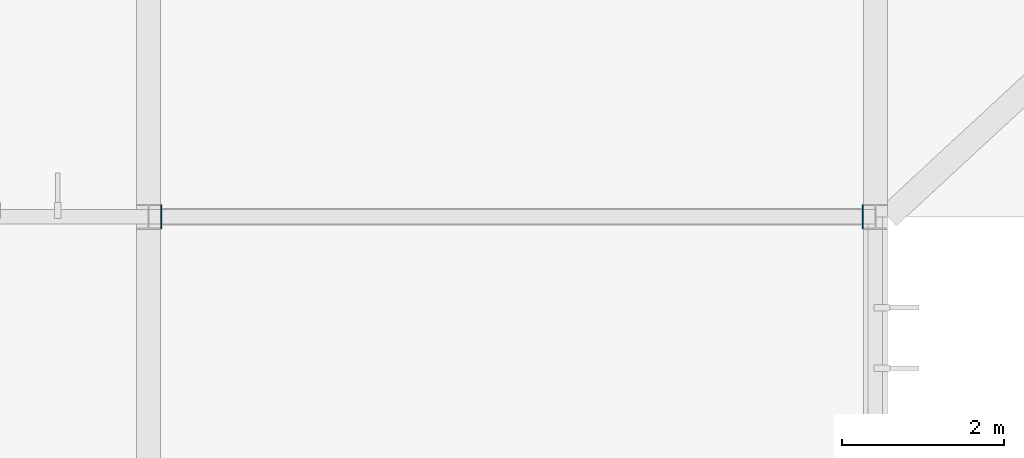
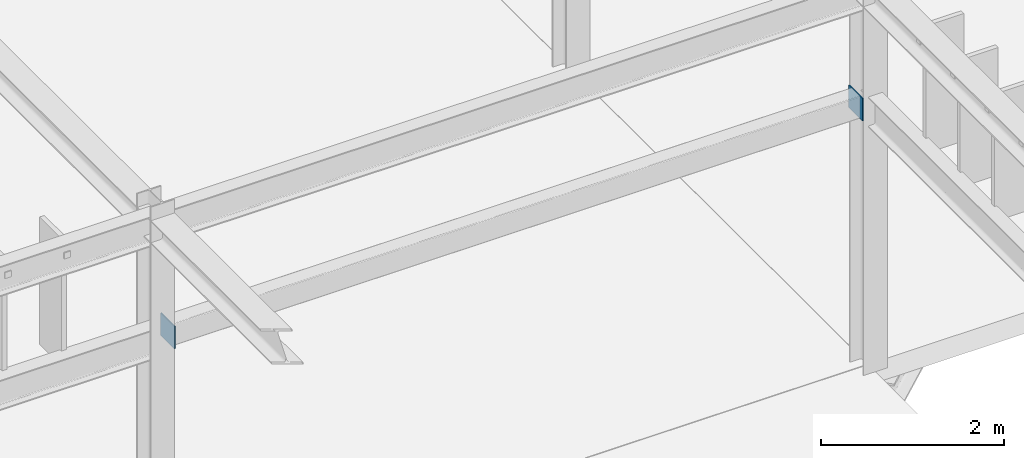
# One storey, part 117 of 158: 2 plates.
"""IFC4 building model written with IfcOpenShell, lengths in metres."""

from ifc_helpers import new_model, si_unit, derived_unit, direction, frame, origin, origin_2d, place, context, subcontext, project, spatial, rectangle, extrude, material, layer, layer_set, type_object, element, save


model = new_model("IFC4")

# Units and contexts
model_context = context("Model", 3, precision=1e-05, world=origin(), true_north=direction((0.0, 1.0)))
body_context = subcontext(model_context, "Body", "Model", "MODEL_VIEW")
ifc_project = project(units=[si_unit("LENGTHUNIT", "METRE"), si_unit("AREAUNIT", "SQUARE_METRE"), si_unit("VOLUMEUNIT", "CUBIC_METRE"), si_unit("PLANEANGLEUNIT", "RADIAN"), si_unit("MASSUNIT", "GRAM", prefix="KILO"), si_unit("THERMODYNAMICTEMPERATUREUNIT", "KELVIN"), si_unit("TIMEUNIT", "SECOND"), derived_unit("THERMALTRANSMITTANCEUNIT", [(si_unit("MASSUNIT", "GRAM", prefix="KILO"), 1), (si_unit("THERMODYNAMICTEMPERATUREUNIT", "KELVIN"), -1), (si_unit("TIMEUNIT", "SECOND"), -3)])], contexts=[model_context])

# Site, building, storey
site_placement = place(None, origin())
site = spatial("IfcSite", under=ifc_project, at=site_placement, CompositionType="ELEMENT")
building_placement = place(site_placement, origin())
building = spatial("IfcBuilding", under=site, at=building_placement, Name="Cambertide Market Hall", CompositionType="ELEMENT")
storey_placement = place(building_placement, origin())
storey = spatial("IfcBuildingStorey", under=building, at=storey_placement, Name="L01", CompositionType="ELEMENT", Elevation=0.0)

# Plates
ifc_material = material(Name="Steel S355", Category="steel")
ifc_layer = layer(ifc_material, 0.013916015625, Name="Steel End Cap Plate EC-02")
ifc_layer_set = layer_set([ifc_layer], Name="Steel S355")
plate_type = type_object("IfcPlateType", Name="Steel End Cap Plate EC-02", PredefinedType="USERDEFINED", material=ifc_layer_set)
for number, where, z_axis, x_axis, name in (
    (1, (21.155029296875, 41.0, 3.39990234375), (0.0, 0.0, 1.0), (1.0, 0.0, 0.0), "Level 1 Spandrel End Cap Plate EC-SPRHS1-W"),
    (2, (29.844970703125, 41.0, 3.39990234375), (0.0, 0.0, 1.0), (1.0, 0.0, 0.0), "Level 1 Spandrel End Cap Plate EC-SPRHS1-E"),
):
    element("IfcPlate", number, at=place(storey_placement, frame(where, z_axis=z_axis, x_axis=x_axis)), inside=storey, type_object=plate_type, Name=name, ObjectType="END CAP PLATE", PredefinedType="USERDEFINED", context=body_context, shape_type="SweptSolid", body=[
        extrude(rectangle(XDim=0.013916015625, YDim=0.300048828125, at=origin_2d()), origin(), (0.0, 0.0, 1.0), 0.300048828125),
    ])

save(model, "model.ifc")
